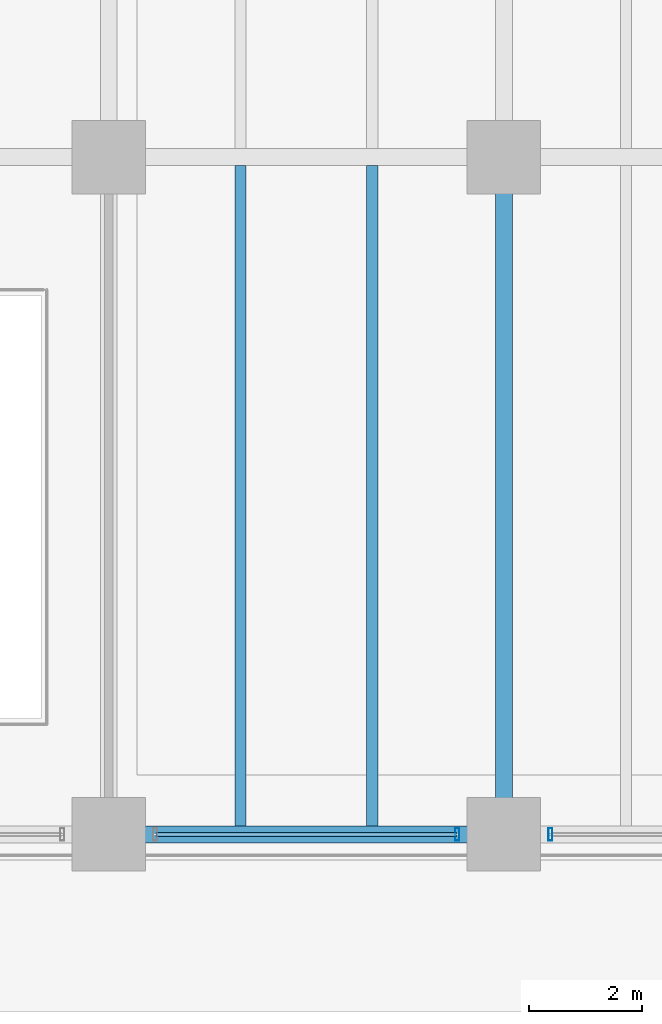
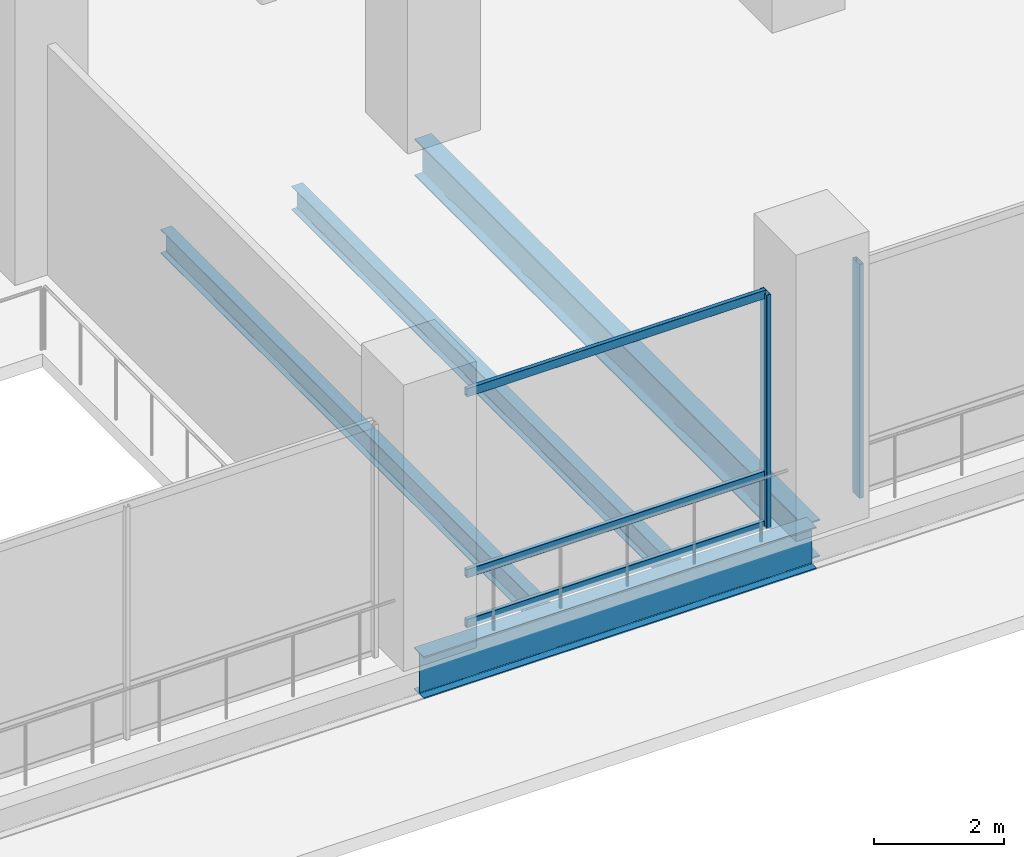
# One storey, part 6 of 32: 5 members, 4 beams, 2 elements without a shape of their own.
"""IFC4 building model written with IfcOpenShell, lengths in metres."""

from ifc_helpers import new_model, si_unit, direction, frame, origin, origin_2d, place, context, subcontext, project, spatial, hollow_rectangle, i_section, extrude, material, material_profile, profile_set, type_object, element, aggregate, save


model = new_model("IFC4")

# Units and contexts
model_context = context("Model", 3, precision=1e-05, world=origin(), true_north=direction((0.0, 1.0)))
body_context = subcontext(model_context, "Body", "Model", "MODEL_VIEW")
ifc_project = project(units=[si_unit("LENGTHUNIT", "METRE"), si_unit("AREAUNIT", "SQUARE_METRE"), si_unit("VOLUMEUNIT", "CUBIC_METRE"), si_unit("PLANEANGLEUNIT", "RADIAN"), si_unit("MASSUNIT", "GRAM", prefix="KILO")], contexts=[model_context])

# Site, building, storey
site_placement = place(None, origin())
site = spatial("IfcSite", under=ifc_project, at=site_placement, CompositionType="ELEMENT")
building_placement = place(site_placement, origin())
building = spatial("IfcBuilding", under=site, at=building_placement, Name="Noeulbin Bourse Tower", CompositionType="ELEMENT")
storey_placement = place(building_placement, frame((0.0, 0.0, 5.800048828125)))
storey = spatial("IfcBuildingStorey", under=building, at=storey_placement, Name="L02", CompositionType="ELEMENT", Elevation=5.800048828125)

# Beams
ifc_material_1 = material(Name="Steel S355", Category="steel")
ifc_material_profile_1 = material_profile(ifc_material_1, i_section(OverallWidth=0.300048828125, OverallDepth=0.699951171875, WebThickness=0.012939453125, FlangeThickness=0.02392578125, FilletRadius=0.02392578125, at=origin_2d()), Name="H-700x300x13x24", Category="LoadBearing")
ifc_profile_set_1 = profile_set([ifc_material_profile_1], Name="Steel S355")
beam_type_1 = type_object("IfcBeamType", Name="BM-GRD-700", PredefinedType="USERDEFINED", material=ifc_profile_set_1)
beam_1_placement = place(storey_placement, frame((31.0, 3.449951171875, -0.60009765625), z_axis=(0.0, 1.0, 0.0), x_axis=(-1.0, 0.0, 0.0)))
element("IfcBeam", 1, at=beam_1_placement, inside=storey, type_object=beam_type_1, Name="Podium Primary Girder NS L02-080", ObjectType="GIRDER", PredefinedType="USERDEFINED", context=body_context, shape_type="SweptSolid", body=[
    extrude(i_section(OverallWidth=0.300048828125, OverallDepth=0.699951171875, WebThickness=0.012939453125, FlangeThickness=0.02392578125, FilletRadius=0.02392578125, at=origin_2d()), origin(), (0.0, 0.0, 1.0), 12.0),
])
ifc_material_profile_2 = material_profile(ifc_material_1, i_section(OverallWidth=0.300048828125, OverallDepth=0.800048828125, WebThickness=0.013916015625, FlangeThickness=0.02587890625, FilletRadius=0.02587890625, at=origin_2d()), Name="H-800x300x14x26", Category="LoadBearing")
ifc_profile_set_2 = profile_set([ifc_material_profile_2], Name="Steel S355")
beam_type_2 = type_object("IfcBeamType", Name="BM-GRD-800", PredefinedType="USERDEFINED", material=ifc_profile_set_2)
beam_2_placement = place(storey_placement, frame((24.0, 3.449951171875, -0.650146484375), z_axis=(1.0, 0.0, 0.0), x_axis=(0.0, 1.0, 0.0)))
element("IfcBeam", 2, at=beam_2_placement, inside=storey, type_object=beam_type_2, Name="Podium Primary Girder EW L02-004", ObjectType="GIRDER", PredefinedType="USERDEFINED", context=body_context, shape_type="SweptSolid", body=[
    extrude(i_section(OverallWidth=0.300048828125, OverallDepth=0.800048828125, WebThickness=0.013916015625, FlangeThickness=0.02587890625, FilletRadius=0.02587890625, at=origin_2d()), origin(), (0.0, 0.0, 1.0), 7.0),
])
ifc_material_profile_3 = material_profile(ifc_material_1, i_section(OverallWidth=0.199951171875, OverallDepth=0.449951171875, WebThickness=0.009033203125, FlangeThickness=0.013916015625, FilletRadius=0.01806640625, at=origin_2d()), Name="H-450x200x9x14", Category="LoadBearing")
ifc_profile_set_3 = profile_set([ifc_material_profile_3], Name="Steel S355")
beam_type_3 = type_object("IfcBeamType", Name="BM-SEC-450", PredefinedType="BEAM", material=ifc_profile_set_3)
for number, where, z_axis, x_axis, name in (
    (3, (26.333251953125, 3.60009765625, -0.47509765625), (0.0, 1.0, 0.0), (-1.0, 0.0, 0.0), "Podium Secondary Beam L02-039"),
    (4, (28.666748046875, 3.60009765625, -0.47509765625), (0.0, 1.0, 0.0), (-1.0, 0.0, 0.0), "Podium Secondary Beam L02-044"),
):
    element("IfcBeam", number, at=place(storey_placement, frame(where, z_axis=z_axis, x_axis=x_axis)), inside=storey, type_object=beam_type_3, Name=name, PredefinedType="BEAM", context=body_context, shape_type="SweptSolid", body=[
        extrude(i_section(OverallWidth=0.199951171875, OverallDepth=0.449951171875, WebThickness=0.009033203125, FlangeThickness=0.013916015625, FilletRadius=0.01806640625, at=origin_2d()), origin(), (0.0, 0.0, 1.0), 11.699951171875),
    ])

# Curtain wall, member
ifc_material_2 = material(Name="Laminated Clear Low-E Glass", Category="glass")
curtain_wall_type = type_object("IfcCurtainWallType", Name="CW-SYS-1", PredefinedType="NOTDEFINED", material=ifc_material_2)
curtain_wall_1_placement = place(storey_placement, origin())
curtain_wall_1 = element("IfcCurtainWall", 5, at=curtain_wall_1_placement, inside=storey, type_object=curtain_wall_type, Name="Unitised Curtain Wall CW-L02-POD-S-S3", PredefinedType="NOTDEFINED")
ifc_material_3 = material(Name="Anodised Aluminium 6063-T6", Category="aluminium")
ifc_material_profile_4 = material_profile(ifc_material_3, hollow_rectangle(XDim=0.074951171875, YDim=0.219970703125, WallThickness=0.0048828125, InnerFilletRadius=0.00244140625, OuterFilletRadius=0.0048828125, at=origin_2d()), Name="ALU-MULL-75x220x5", Category="LoadBearing")
ifc_profile_set_4 = profile_set([ifc_material_profile_4], Name="Anodised Aluminium 6063-T6")
member_type_1 = type_object("IfcMemberType", Name="CW-SYS-1-MUL", PredefinedType="MULLION", material=ifc_profile_set_4)
member_1_placement = place(storey_placement, frame((30.175048828125, 3.449951171875, -0.02001953125), z_axis=(0.0, 0.0, 1.0), x_axis=(1.0, 0.0, 0.0)))
member_1 = element("IfcMember", 6, at=member_1_placement, type_object=member_type_1, Name="Curtain Wall Mullion CW-L02-POD-S-S3-M01", PredefinedType="MULLION", context=body_context, shape_type="SweptSolid", body=[
    extrude(hollow_rectangle(XDim=0.074951171875, YDim=0.219970703125, WallThickness=0.0048828125, InnerFilletRadius=0.00244140625, OuterFilletRadius=0.0048828125, at=origin_2d()), origin(), (0.0, 0.0, 1.0), 4.409912109375),
])

curtain_wall_2_placement = place(storey_placement, origin())
curtain_wall_2 = element("IfcCurtainWall", 7, at=curtain_wall_2_placement, inside=storey, type_object=curtain_wall_type, Name="Unitised Curtain Wall CW-L02-POD-S-S4", PredefinedType="NOTDEFINED")
member_2_placement = place(storey_placement, frame((31.824951171875, 3.449951171875, -0.02001953125), z_axis=(0.0, 0.0, 1.0), x_axis=(1.0, 0.0, 0.0)))
member_2 = element("IfcMember", 8, at=member_2_placement, type_object=member_type_1, Name="Curtain Wall Mullion CW-L02-POD-S-S4-M00", PredefinedType="MULLION", context=body_context, shape_type="SweptSolid", body=[
    extrude(hollow_rectangle(XDim=0.074951171875, YDim=0.219970703125, WallThickness=0.0048828125, InnerFilletRadius=0.00244140625, OuterFilletRadius=0.0048828125, at=origin_2d()), origin(), (0.0, 0.0, 1.0), 4.409912109375),
])
aggregate(curtain_wall_2, [member_2])

# Member
ifc_material_profile_5 = material_profile(ifc_material_3, hollow_rectangle(XDim=0.074951171875, YDim=0.159912109375, WallThickness=0.0048828125, InnerFilletRadius=0.00244140625, OuterFilletRadius=0.0048828125, at=origin_2d()), Name="ALU-TRAN-75x160x5", Category="LoadBearing")
ifc_profile_set_5 = profile_set([ifc_material_profile_5], Name="Anodised Aluminium 6063-T6")
member_type_2 = type_object("IfcMemberType", Name="CW-SYS-1-TRN", PredefinedType="USERDEFINED", material=ifc_profile_set_5)
member_3_placement = place(storey_placement, frame((24.8349609375, 3.449951171875, 0.010009765625), z_axis=(1.0, 0.0, 0.0), x_axis=(0.0, 1.0, 0.0)))
member_3 = element("IfcMember", 9, at=member_3_placement, type_object=member_type_2, Name="Curtain Wall Transom CW-L02-POD-S-S3-T00", ObjectType="TRANSOM", PredefinedType="USERDEFINED", context=body_context, shape_type="SweptSolid", body=[
    extrude(hollow_rectangle(XDim=0.074951171875, YDim=0.159912109375, WallThickness=0.0048828125, InnerFilletRadius=0.00244140625, OuterFilletRadius=0.0048828125, at=origin_2d()), origin(), (0.0, 0.0, 1.0), 5.330078125),
])

member_4_placement = place(storey_placement, frame((24.8349609375, 3.449951171875, 0.949951171875), z_axis=(1.0, 0.0, 0.0), x_axis=(0.0, 1.0, 0.0)))
member_4 = element("IfcMember", 10, at=member_4_placement, type_object=member_type_2, Name="Curtain Wall Transom CW-L02-POD-S-S3-T01", ObjectType="TRANSOM", PredefinedType="USERDEFINED", context=body_context, shape_type="SweptSolid", body=[
    extrude(hollow_rectangle(XDim=0.074951171875, YDim=0.159912109375, WallThickness=0.0048828125, InnerFilletRadius=0.00244140625, OuterFilletRadius=0.0048828125, at=origin_2d()), origin(), (0.0, 0.0, 1.0), 5.330078125),
])

member_5_placement = place(storey_placement, frame((24.8349609375, 3.449951171875, 4.35986328125), z_axis=(1.0, 0.0, 0.0), x_axis=(0.0, 1.0, 0.0)))
member_5 = element("IfcMember", 11, at=member_5_placement, type_object=member_type_2, Name="Curtain Wall Transom CW-L02-POD-S-S3-T02", ObjectType="TRANSOM", PredefinedType="USERDEFINED", context=body_context, shape_type="SweptSolid", body=[
    extrude(hollow_rectangle(XDim=0.074951171875, YDim=0.159912109375, WallThickness=0.0048828125, InnerFilletRadius=0.00244140625, OuterFilletRadius=0.0048828125, at=origin_2d()), origin(), (0.0, 0.0, 1.0), 5.330078125),
])

aggregate(curtain_wall_1, [member_1, member_3, member_4, member_5])

save(model, "model.ifc")
